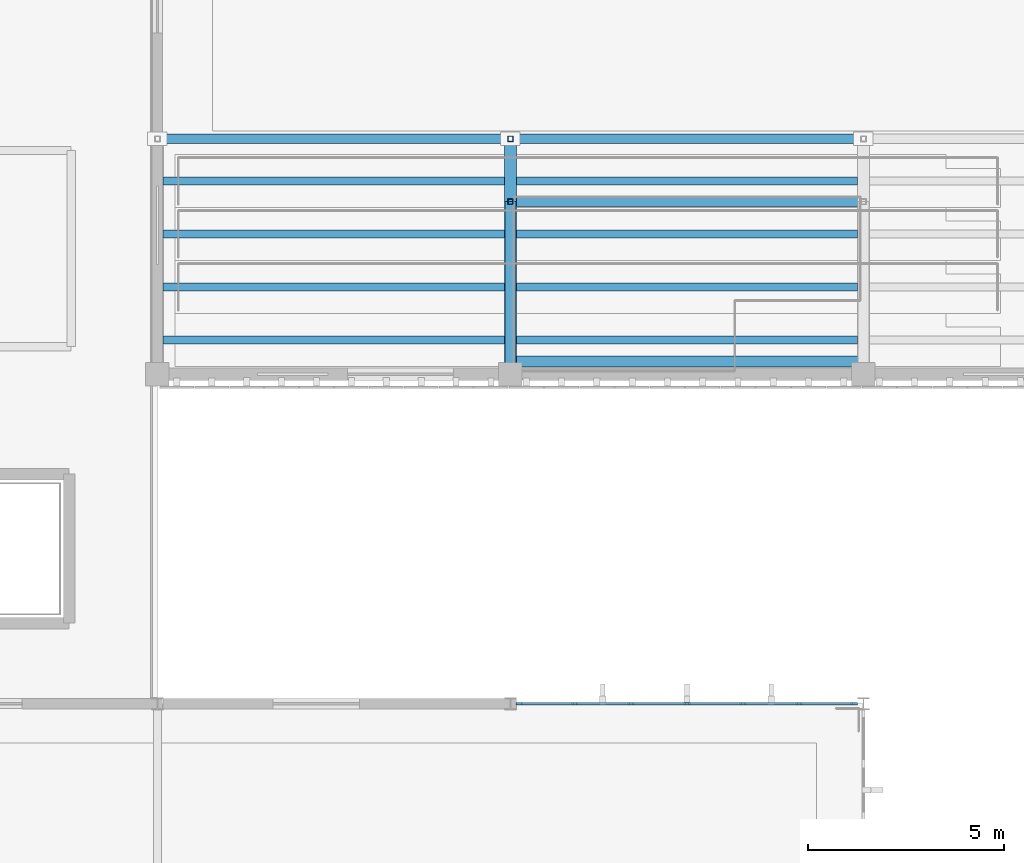
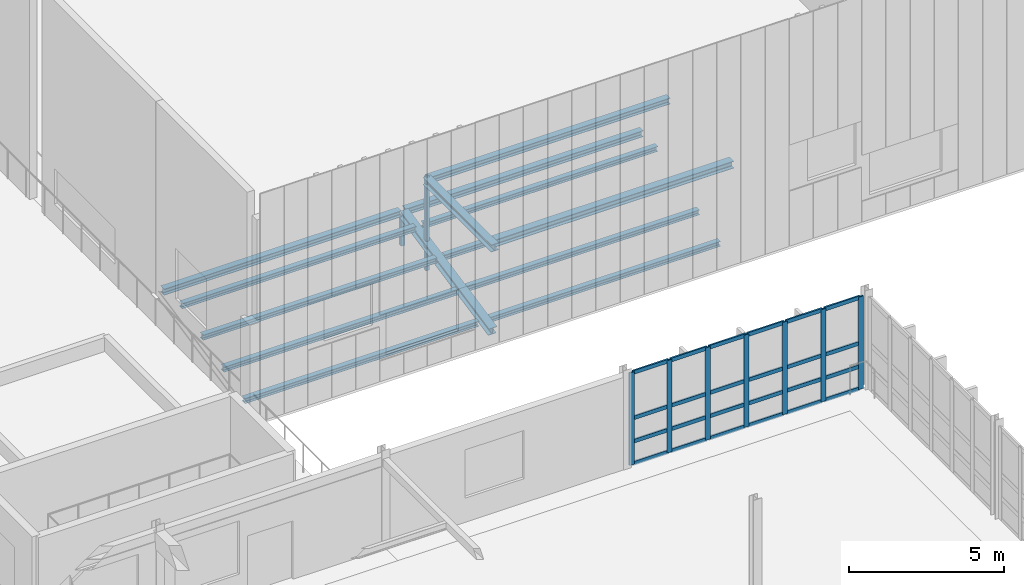
# One storey, part 18 of 67: 33 members, 14 beams, 1 element without a shape of its own.
"""IFC4 building model written with IfcOpenShell, lengths in metres."""

from ifc_helpers import new_model, si_unit, direction, frame, origin, origin_2d, place, context, subcontext, project, spatial, rectangle, hollow_rectangle, i_section, extrude, material, material_profile, profile_set, type_object, element, aggregate, save


model = new_model("IFC4")

# Units and contexts
model_context = context("Model", 3, precision=1e-05, world=origin(), true_north=direction((0.0, 1.0)))
body_context = subcontext(model_context, "Body", "Model", "MODEL_VIEW")
ifc_project = project(units=[si_unit("LENGTHUNIT", "METRE"), si_unit("AREAUNIT", "SQUARE_METRE"), si_unit("VOLUMEUNIT", "CUBIC_METRE"), si_unit("PLANEANGLEUNIT", "RADIAN"), si_unit("MASSUNIT", "GRAM", prefix="KILO")], contexts=[model_context])

# Site, building, storey
site_placement = place(None, origin())
site = spatial("IfcSite", under=ifc_project, at=site_placement, CompositionType="ELEMENT")
building_placement = place(site_placement, origin())
building = spatial("IfcBuilding", under=site, at=building_placement, Name="Tizgana Railside Sports Hall", CompositionType="ELEMENT")
storey_placement = place(building_placement, frame((0.0, 0.0, 12.0)))
storey = spatial("IfcBuildingStorey", under=building, at=storey_placement, Name="L02", CompositionType="ELEMENT", Elevation=12.0)

# Curtain wall, members
ifc_material_1 = material(Name="Anodised aluminium and glass", Category="aluminium")
curtain_wall_type = type_object("IfcCurtainWallType", Name="Unitised Curtain Wall WestHall 1560", PredefinedType="NOTDEFINED", material=ifc_material_1)
curtain_wall_placement = place(storey_placement, origin())
curtain_wall = element("IfcCurtainWall", 1, at=curtain_wall_placement, inside=storey, type_object=curtain_wall_type, Name="L02 Curtain Wall CW-0110", PredefinedType="NOTDEFINED")
ifc_material_2 = material(Name="Anodised aluminium", Category="aluminium")
ifc_material_profile_1 = material_profile(ifc_material_2, rectangle(XDim=0.06005859375, YDim=0.179931640625, at=origin_2d()), Name="Mullion 60x180")
ifc_profile_set_1 = profile_set([ifc_material_profile_1], Name="Anodised aluminium")
member_type_1 = type_object("IfcMemberType", Name="Mullion 60x180", PredefinedType="MULLION", material=ifc_profile_set_1)
member_1_placement = place(storey_placement, frame((89.034912109375, 32.39990234375, 0.0), z_axis=(0.0, 0.0, 1.0), x_axis=(0.0, 1.0, 0.0)))
member_1 = element("IfcMember", 2, at=member_1_placement, type_object=member_type_1, Name="CW-07 mullion 1", PredefinedType="MULLION", context=body_context, shape_type="SweptSolid", body=[
    extrude(rectangle(XDim=0.06005859375, YDim=0.179931640625, at=origin_2d()), origin(), (0.0, 0.0, 1.0), 3.639892578125),
])
member_2_placement = place(storey_placement, frame((90.436767578125, 32.39990234375, 0.0), z_axis=(0.0, 0.0, 1.0), x_axis=(0.0, 1.0, 0.0)))
member_2 = element("IfcMember", 3, at=member_2_placement, type_object=member_type_1, Name="CW-07 mullion 2", PredefinedType="MULLION", context=body_context, shape_type="SweptSolid", body=[
    extrude(rectangle(XDim=0.06005859375, YDim=0.179931640625, at=origin_2d()), origin(), (0.0, 0.0, 1.0), 3.639892578125),
])
member_3_placement = place(storey_placement, frame((91.868408203125, 32.39990234375, 0.0), z_axis=(0.0, 0.0, 1.0), x_axis=(0.0, 1.0, 0.0)))
member_3 = element("IfcMember", 4, at=member_3_placement, type_object=member_type_1, Name="CW-07 mullion 3", PredefinedType="MULLION", context=body_context, shape_type="SweptSolid", body=[
    extrude(rectangle(XDim=0.06005859375, YDim=0.179931640625, at=origin_2d()), origin(), (0.0, 0.0, 1.0), 3.639892578125),
])
member_4_placement = place(storey_placement, frame((93.300048828125, 32.39990234375, 0.0), z_axis=(0.0, 0.0, 1.0), x_axis=(0.0, 1.0, 0.0)))
member_4 = element("IfcMember", 5, at=member_4_placement, type_object=member_type_1, Name="CW-07 mullion 4", PredefinedType="MULLION", context=body_context, shape_type="SweptSolid", body=[
    extrude(rectangle(XDim=0.06005859375, YDim=0.179931640625, at=origin_2d()), origin(), (0.0, 0.0, 1.0), 3.639892578125),
])
member_5_placement = place(storey_placement, frame((94.731689453125, 32.39990234375, 0.0), z_axis=(0.0, 0.0, 1.0), x_axis=(0.0, 1.0, 0.0)))
member_5 = element("IfcMember", 6, at=member_5_placement, type_object=member_type_1, Name="CW-07 mullion 5", PredefinedType="MULLION", context=body_context, shape_type="SweptSolid", body=[
    extrude(rectangle(XDim=0.06005859375, YDim=0.179931640625, at=origin_2d()), origin(), (0.0, 0.0, 1.0), 3.639892578125),
])
member_6_placement = place(storey_placement, frame((96.163330078125, 32.39990234375, 0.0), z_axis=(0.0, 0.0, 1.0), x_axis=(0.0, 1.0, 0.0)))
member_6 = element("IfcMember", 7, at=member_6_placement, type_object=member_type_1, Name="CW-07 mullion 6", PredefinedType="MULLION", context=body_context, shape_type="SweptSolid", body=[
    extrude(rectangle(XDim=0.06005859375, YDim=0.179931640625, at=origin_2d()), origin(), (0.0, 0.0, 1.0), 3.639892578125),
])
member_7_placement = place(storey_placement, frame((97.56494140625, 32.39990234375, 0.0), z_axis=(0.0, 0.0, 1.0), x_axis=(0.0, 1.0, 0.0)))
member_7 = element("IfcMember", 8, at=member_7_placement, type_object=member_type_1, Name="CW-07 mullion 7", PredefinedType="MULLION", context=body_context, shape_type="SweptSolid", body=[
    extrude(rectangle(XDim=0.06005859375, YDim=0.179931640625, at=origin_2d()), origin(), (0.0, 0.0, 1.0), 3.639892578125),
])

# Beams
ifc_material_3 = material(Name="Steel S355J2", Category="steel")
ifc_material_profile_2 = material_profile(ifc_material_3, i_section(OverallWidth=0.199951171875, OverallDepth=0.199951171875, WebThickness=0.009033203125, FlangeThickness=0.014892578125, FilletRadius=0.01806640625, at=origin_2d()), Name="HEB 200")
ifc_profile_set_2 = profile_set([ifc_material_profile_2], Name="Steel S355J2")
beam_type_1 = type_object("IfcBeamType", Name="Steel Beam HEB 200", PredefinedType="BEAM", material=ifc_profile_set_2)
for number, where, z_axis, x_axis, name in (
    (9, (79.945068359375, 41.675048828125, 0.10498046875), (1.0, 0.0, 0.0), (0.0, 1.0, 0.0), "L02 Stand Stringer BEM-0071"),
    (10, (88.945068359375, 41.675048828125, 0.10498046875), (1.0, 0.0, 0.0), (0.0, 1.0, 0.0), "L02 Stand Stringer BEM-0072"),
    (11, (79.945068359375, 43.02490234375, 0.52490234375), (1.0, 0.0, 0.0), (0.0, 1.0, 0.0), "L02 Stand Stringer BEM-0076"),
    (12, (88.945068359375, 43.02490234375, 0.52490234375), (1.0, 0.0, 0.0), (0.0, 1.0, 0.0), "L02 Stand Stringer BEM-0077"),
    (13, (79.945068359375, 44.375, 0.965087890625), (1.0, 0.0, 0.0), (0.0, 1.0, 0.0), "L02 Stand Stringer BEM-0081"),
    (14, (88.945068359375, 44.375, 0.965087890625), (1.0, 0.0, 0.0), (0.0, 1.0, 0.0), "L02 Stand Stringer BEM-0082"),
    (15, (79.945068359375, 45.72509765625, 1.385009765625), (1.0, 0.0, 0.0), (0.0, 1.0, 0.0), "L02 Stand Stringer BEM-0086"),
    (16, (88.945068359375, 45.72509765625, 1.385009765625), (1.0, 0.0, 0.0), (0.0, 1.0, 0.0), "L02 Stand Stringer BEM-0087"),
):
    element("IfcBeam", number, at=place(storey_placement, frame(where, z_axis=z_axis, x_axis=x_axis)), inside=storey, type_object=beam_type_1, Name=name, PredefinedType="BEAM", context=body_context, shape_type="SweptSolid", body=[
        extrude(i_section(OverallWidth=0.199951171875, OverallDepth=0.199951171875, WebThickness=0.009033203125, FlangeThickness=0.014892578125, FilletRadius=0.01806640625, at=origin_2d()), origin(), (0.0, 0.0, 1.0), 8.7099609375),
    ])
ifc_material_profile_3 = material_profile(ifc_material_3, i_section(OverallWidth=0.239990234375, OverallDepth=0.239990234375, WebThickness=0.010009765625, FlangeThickness=0.01708984375, FilletRadius=0.02099609375, at=origin_2d()), Name="HEB 240")
ifc_profile_set_3 = profile_set([ifc_material_profile_3], Name="Steel S355J2")
beam_type_2 = type_object("IfcBeamType", Name="Steel Beam HEB 240", PredefinedType="BEAM", material=ifc_profile_set_3)
for number, where, z_axis, x_axis, name in (
    (17, (79.8798828125, 46.800048828125, 1.320068359375), (1.0, 0.0, 0.0), (0.0, 1.0, 0.0), "L02 Stand Rear Header SHB-0011"),
    (18, (88.8798828125, 46.800048828125, 1.320068359375), (1.0, 0.0, 0.0), (0.0, 1.0, 0.0), "L02 Stand Rear Header SHB-0012"),
):
    element("IfcBeam", number, at=place(storey_placement, frame(where, z_axis=z_axis, x_axis=x_axis)), inside=storey, type_object=beam_type_2, Name=name, PredefinedType="BEAM", context=body_context, shape_type="SweptSolid", body=[
        extrude(i_section(OverallWidth=0.239990234375, OverallDepth=0.239990234375, WebThickness=0.010009765625, FlangeThickness=0.01708984375, FilletRadius=0.02099609375, at=origin_2d()), origin(), (0.0, 0.0, 1.0), 8.840087890625),
    ])
beam_1_placement = place(storey_placement, frame((88.800048828125, 45.199951171875, 3.550048828125), z_axis=(1.0, 0.0, 0.0), x_axis=(0.0, 1.0, 0.0)))
element("IfcBeam", 19, at=beam_1_placement, inside=storey, type_object=beam_type_2, Name="L02 BEM-1278", PredefinedType="BEAM", context=body_context, shape_type="SweptSolid", body=[
    extrude(i_section(OverallWidth=0.239990234375, OverallDepth=0.239990234375, WebThickness=0.010009765625, FlangeThickness=0.01708984375, FilletRadius=0.02099609375, at=origin_2d()), origin(), (0.0, 0.0, 1.0), 9.0),
])
ifc_material_profile_4 = material_profile(ifc_material_3, i_section(OverallWidth=0.280029296875, OverallDepth=0.280029296875, WebThickness=0.010498046875, FlangeThickness=0.01806640625, FilletRadius=0.02392578125, at=origin_2d()), Name="HEB 280")
ifc_profile_set_4 = profile_set([ifc_material_profile_4], Name="Steel S355J2")
beam_type_3 = type_object("IfcBeamType", Name="Steel Beam HEB 280", PredefinedType="BEAM", material=ifc_profile_set_4)
beam_2_placement = place(storey_placement, frame((88.800048828125, 41.1201171875, 3.530029296875), z_axis=(1.0, 0.0, 0.0), x_axis=(0.0, 1.0, 0.0)))
element("IfcBeam", 20, at=beam_2_placement, inside=storey, type_object=beam_type_3, Name="L02 BEM-1277", PredefinedType="BEAM", context=body_context, shape_type="SweptSolid", body=[
    extrude(i_section(OverallWidth=0.280029296875, OverallDepth=0.280029296875, WebThickness=0.010498046875, FlangeThickness=0.01806640625, FilletRadius=0.02392578125, at=origin_2d()), origin(), (0.0, 0.0, 1.0), 9.0),
])
beam_3_placement = place(storey_placement, frame((88.800048828125, 40.800048828125, 3.530029296875), z_axis=(0.0, 1.0, 0.0), x_axis=(-1.0, 0.0, 0.0)))
element("IfcBeam", 21, at=beam_3_placement, inside=storey, type_object=beam_type_3, Name="L02 BEM-1279", PredefinedType="BEAM", context=body_context, shape_type="SweptSolid", body=[
    extrude(i_section(OverallWidth=0.280029296875, OverallDepth=0.280029296875, WebThickness=0.010498046875, FlangeThickness=0.01806640625, FilletRadius=0.02392578125, at=origin_2d()), origin(), (0.0, 0.0, 1.0), 4.39990234375),
])
ifc_material_profile_5 = material_profile(ifc_material_3, i_section(OverallWidth=0.300048828125, OverallDepth=0.300048828125, WebThickness=0.010986328125, FlangeThickness=0.01904296875, FilletRadius=0.027099609375, at=origin_2d()), Name="HEB 300")
ifc_profile_set_5 = profile_set([ifc_material_profile_5], Name="Steel S355J2")
beam_type_4 = type_object("IfcBeamType", Name="Steel Beam HEB 300", PredefinedType="BEAM", material=ifc_profile_set_5)
beam_4_placement = place(storey_placement, frame((88.800048828125, 40.949951171875, 0.14990234375), z_axis=(0.0, 0.979812896837, 0.199916700632), x_axis=(-1.0, 0.0, 0.0)))
element("IfcBeam", 22, at=beam_4_placement, inside=storey, type_object=beam_type_4, Name="L02 Stand Main Raker BEM-0066", PredefinedType="BEAM", context=body_context, shape_type="SweptSolid", body=[
    extrude(i_section(OverallWidth=0.300048828125, OverallDepth=0.300048828125, WebThickness=0.010986328125, FlangeThickness=0.01904296875, FilletRadius=0.027099609375, at=origin_2d()), origin(), (0.0, 0.0, 1.0), 5.853271484375),
])

# Members
ifc_material_profile_6 = material_profile(ifc_material_3, hollow_rectangle(XDim=0.139892578125, YDim=0.139892578125, WallThickness=0.008056640625, at=origin_2d()), Name="SHS 140x140x8")
ifc_profile_set_6 = profile_set([ifc_material_profile_6], Name="Steel S355J2")
member_type_2 = type_object("IfcMemberType", Name="Steel Brace SHS 140x140x8", PredefinedType="BRACE", material=ifc_profile_set_6)
member_8_placement = place(storey_placement, frame((88.800048828125, 46.800048828125, 0.0), z_axis=(0.0, 0.0, 1.0), x_axis=(1.0, 0.0, 0.0)))
element("IfcMember", 23, at=member_8_placement, inside=storey, type_object=member_type_2, Name="L02 Stand Strut", PredefinedType="BRACE", context=body_context, shape_type="SweptSolid", body=[
    extrude(hollow_rectangle(XDim=0.139892578125, YDim=0.139892578125, WallThickness=0.008056640625, at=origin_2d()), origin(), (0.0, 0.0, 1.0), 1.18994140625),
])
member_9_placement = place(storey_placement, frame((88.800048828125, 45.199951171875, 0.0), z_axis=(0.0, 0.0, 1.0), x_axis=(1.0, 0.0, 0.0)))
element("IfcMember", 24, at=member_9_placement, inside=storey, type_object=member_type_2, Name="L02 Catwalk Hanger", PredefinedType="BRACE", context=body_context, shape_type="SweptSolid", body=[
    extrude(hollow_rectangle(XDim=0.139892578125, YDim=0.139892578125, WallThickness=0.008056640625, at=origin_2d()), origin(), (0.0, 0.0, 1.0), 3.669921875),
])

# Member
ifc_material_profile_7 = material_profile(ifc_material_2, rectangle(XDim=0.06005859375, YDim=0.14990234375, at=origin_2d()), Name="Transom 60x150")
ifc_profile_set_7 = profile_set([ifc_material_profile_7], Name="Anodised aluminium")
member_type_3 = type_object("IfcMemberType", Name="Transom 60x150", PredefinedType="USERDEFINED", material=ifc_profile_set_7)
member_10_placement = place(storey_placement, frame((89.06494140625, 32.39990234375, 0.030029296875), z_axis=(1.0, 0.0, 0.0), x_axis=(0.0, 1.0, 0.0)))
member_10 = element("IfcMember", 25, at=member_10_placement, type_object=member_type_3, Name="CW-07 transom 1.1", ObjectType="TRANSOM", PredefinedType="USERDEFINED", context=body_context, shape_type="SweptSolid", body=[
    extrude(rectangle(XDim=0.06005859375, YDim=0.14990234375, at=origin_2d()), origin(), (0.0, 0.0, 1.0), 1.341796875),
])

member_11_placement = place(storey_placement, frame((89.06494140625, 32.39990234375, 0.89990234375), z_axis=(1.0, 0.0, 0.0), x_axis=(0.0, 1.0, 0.0)))
member_11 = element("IfcMember", 26, at=member_11_placement, type_object=member_type_3, Name="CW-07 transom 1.2", ObjectType="TRANSOM", PredefinedType="USERDEFINED", context=body_context, shape_type="SweptSolid", body=[
    extrude(rectangle(XDim=0.06005859375, YDim=0.14990234375, at=origin_2d()), origin(), (0.0, 0.0, 1.0), 1.341796875),
])

member_12_placement = place(storey_placement, frame((89.06494140625, 32.39990234375, 1.820068359375), z_axis=(1.0, 0.0, 0.0), x_axis=(0.0, 1.0, 0.0)))
member_12 = element("IfcMember", 27, at=member_12_placement, type_object=member_type_3, Name="CW-07 transom 1.3", ObjectType="TRANSOM", PredefinedType="USERDEFINED", context=body_context, shape_type="SweptSolid", body=[
    extrude(rectangle(XDim=0.06005859375, YDim=0.14990234375, at=origin_2d()), origin(), (0.0, 0.0, 1.0), 1.341796875),
])

member_13_placement = place(storey_placement, frame((89.06494140625, 32.39990234375, 3.610107421875), z_axis=(1.0, 0.0, 0.0), x_axis=(0.0, 1.0, 0.0)))
member_13 = element("IfcMember", 28, at=member_13_placement, type_object=member_type_3, Name="CW-07 transom 1.4", ObjectType="TRANSOM", PredefinedType="USERDEFINED", context=body_context, shape_type="SweptSolid", body=[
    extrude(rectangle(XDim=0.06005859375, YDim=0.14990234375, at=origin_2d()), origin(), (0.0, 0.0, 1.0), 1.341796875),
])

member_14_placement = place(storey_placement, frame((90.466552734375, 32.39990234375, 0.030029296875), z_axis=(1.0, 0.0, 0.0), x_axis=(0.0, 1.0, 0.0)))
member_14 = element("IfcMember", 29, at=member_14_placement, type_object=member_type_3, Name="CW-07 transom 2.1", ObjectType="TRANSOM", PredefinedType="USERDEFINED", context=body_context, shape_type="SweptSolid", body=[
    extrude(rectangle(XDim=0.06005859375, YDim=0.14990234375, at=origin_2d()), origin(), (0.0, 0.0, 1.0), 1.371826171875),
])

member_15_placement = place(storey_placement, frame((90.466552734375, 32.39990234375, 0.89990234375), z_axis=(1.0, 0.0, 0.0), x_axis=(0.0, 1.0, 0.0)))
member_15 = element("IfcMember", 30, at=member_15_placement, type_object=member_type_3, Name="CW-07 transom 2.2", ObjectType="TRANSOM", PredefinedType="USERDEFINED", context=body_context, shape_type="SweptSolid", body=[
    extrude(rectangle(XDim=0.06005859375, YDim=0.14990234375, at=origin_2d()), origin(), (0.0, 0.0, 1.0), 1.371826171875),
])

member_16_placement = place(storey_placement, frame((90.466552734375, 32.39990234375, 1.820068359375), z_axis=(1.0, 0.0, 0.0), x_axis=(0.0, 1.0, 0.0)))
member_16 = element("IfcMember", 31, at=member_16_placement, type_object=member_type_3, Name="CW-07 transom 2.3", ObjectType="TRANSOM", PredefinedType="USERDEFINED", context=body_context, shape_type="SweptSolid", body=[
    extrude(rectangle(XDim=0.06005859375, YDim=0.14990234375, at=origin_2d()), origin(), (0.0, 0.0, 1.0), 1.371826171875),
])

member_17_placement = place(storey_placement, frame((90.466552734375, 32.39990234375, 3.610107421875), z_axis=(1.0, 0.0, 0.0), x_axis=(0.0, 1.0, 0.0)))
member_17 = element("IfcMember", 32, at=member_17_placement, type_object=member_type_3, Name="CW-07 transom 2.4", ObjectType="TRANSOM", PredefinedType="USERDEFINED", context=body_context, shape_type="SweptSolid", body=[
    extrude(rectangle(XDim=0.06005859375, YDim=0.14990234375, at=origin_2d()), origin(), (0.0, 0.0, 1.0), 1.371826171875),
])

member_18_placement = place(storey_placement, frame((91.8984375, 32.39990234375, 0.030029296875), z_axis=(1.0, 0.0, 0.0), x_axis=(0.0, 1.0, 0.0)))
member_18 = element("IfcMember", 33, at=member_18_placement, type_object=member_type_3, Name="CW-07 transom 3.1", ObjectType="TRANSOM", PredefinedType="USERDEFINED", context=body_context, shape_type="SweptSolid", body=[
    extrude(rectangle(XDim=0.06005859375, YDim=0.14990234375, at=origin_2d()), origin(), (0.0, 0.0, 1.0), 1.37158203125),
])

member_19_placement = place(storey_placement, frame((91.8984375, 32.39990234375, 0.89990234375), z_axis=(1.0, 0.0, 0.0), x_axis=(0.0, 1.0, 0.0)))
member_19 = element("IfcMember", 34, at=member_19_placement, type_object=member_type_3, Name="CW-07 transom 3.2", ObjectType="TRANSOM", PredefinedType="USERDEFINED", context=body_context, shape_type="SweptSolid", body=[
    extrude(rectangle(XDim=0.06005859375, YDim=0.14990234375, at=origin_2d()), origin(), (0.0, 0.0, 1.0), 1.37158203125),
])

member_20_placement = place(storey_placement, frame((91.8984375, 32.39990234375, 1.820068359375), z_axis=(1.0, 0.0, 0.0), x_axis=(0.0, 1.0, 0.0)))
member_20 = element("IfcMember", 35, at=member_20_placement, type_object=member_type_3, Name="CW-07 transom 3.3", ObjectType="TRANSOM", PredefinedType="USERDEFINED", context=body_context, shape_type="SweptSolid", body=[
    extrude(rectangle(XDim=0.06005859375, YDim=0.14990234375, at=origin_2d()), origin(), (0.0, 0.0, 1.0), 1.37158203125),
])

member_21_placement = place(storey_placement, frame((91.8984375, 32.39990234375, 3.610107421875), z_axis=(1.0, 0.0, 0.0), x_axis=(0.0, 1.0, 0.0)))
member_21 = element("IfcMember", 36, at=member_21_placement, type_object=member_type_3, Name="CW-07 transom 3.4", ObjectType="TRANSOM", PredefinedType="USERDEFINED", context=body_context, shape_type="SweptSolid", body=[
    extrude(rectangle(XDim=0.06005859375, YDim=0.14990234375, at=origin_2d()), origin(), (0.0, 0.0, 1.0), 1.37158203125),
])

member_22_placement = place(storey_placement, frame((93.330078125, 32.39990234375, 0.030029296875), z_axis=(1.0, 0.0, 0.0), x_axis=(0.0, 1.0, 0.0)))
member_22 = element("IfcMember", 37, at=member_22_placement, type_object=member_type_3, Name="CW-07 transom 4.1", ObjectType="TRANSOM", PredefinedType="USERDEFINED", context=body_context, shape_type="SweptSolid", body=[
    extrude(rectangle(XDim=0.06005859375, YDim=0.14990234375, at=origin_2d()), origin(), (0.0, 0.0, 1.0), 1.37158203125),
])

member_23_placement = place(storey_placement, frame((93.330078125, 32.39990234375, 0.89990234375), z_axis=(1.0, 0.0, 0.0), x_axis=(0.0, 1.0, 0.0)))
member_23 = element("IfcMember", 38, at=member_23_placement, type_object=member_type_3, Name="CW-07 transom 4.2", ObjectType="TRANSOM", PredefinedType="USERDEFINED", context=body_context, shape_type="SweptSolid", body=[
    extrude(rectangle(XDim=0.06005859375, YDim=0.14990234375, at=origin_2d()), origin(), (0.0, 0.0, 1.0), 1.37158203125),
])

member_24_placement = place(storey_placement, frame((93.330078125, 32.39990234375, 1.820068359375), z_axis=(1.0, 0.0, 0.0), x_axis=(0.0, 1.0, 0.0)))
member_24 = element("IfcMember", 39, at=member_24_placement, type_object=member_type_3, Name="CW-07 transom 4.3", ObjectType="TRANSOM", PredefinedType="USERDEFINED", context=body_context, shape_type="SweptSolid", body=[
    extrude(rectangle(XDim=0.06005859375, YDim=0.14990234375, at=origin_2d()), origin(), (0.0, 0.0, 1.0), 1.37158203125),
])

member_25_placement = place(storey_placement, frame((93.330078125, 32.39990234375, 3.610107421875), z_axis=(1.0, 0.0, 0.0), x_axis=(0.0, 1.0, 0.0)))
member_25 = element("IfcMember", 40, at=member_25_placement, type_object=member_type_3, Name="CW-07 transom 4.4", ObjectType="TRANSOM", PredefinedType="USERDEFINED", context=body_context, shape_type="SweptSolid", body=[
    extrude(rectangle(XDim=0.06005859375, YDim=0.14990234375, at=origin_2d()), origin(), (0.0, 0.0, 1.0), 1.37158203125),
])

member_26_placement = place(storey_placement, frame((94.76171875, 32.39990234375, 0.030029296875), z_axis=(1.0, 0.0, 0.0), x_axis=(0.0, 1.0, 0.0)))
member_26 = element("IfcMember", 41, at=member_26_placement, type_object=member_type_3, Name="CW-07 transom 5.1", ObjectType="TRANSOM", PredefinedType="USERDEFINED", context=body_context, shape_type="SweptSolid", body=[
    extrude(rectangle(XDim=0.06005859375, YDim=0.14990234375, at=origin_2d()), origin(), (0.0, 0.0, 1.0), 1.37158203125),
])

member_27_placement = place(storey_placement, frame((94.76171875, 32.39990234375, 0.89990234375), z_axis=(1.0, 0.0, 0.0), x_axis=(0.0, 1.0, 0.0)))
member_27 = element("IfcMember", 42, at=member_27_placement, type_object=member_type_3, Name="CW-07 transom 5.2", ObjectType="TRANSOM", PredefinedType="USERDEFINED", context=body_context, shape_type="SweptSolid", body=[
    extrude(rectangle(XDim=0.06005859375, YDim=0.14990234375, at=origin_2d()), origin(), (0.0, 0.0, 1.0), 1.37158203125),
])

member_28_placement = place(storey_placement, frame((94.76171875, 32.39990234375, 1.820068359375), z_axis=(1.0, 0.0, 0.0), x_axis=(0.0, 1.0, 0.0)))
member_28 = element("IfcMember", 43, at=member_28_placement, type_object=member_type_3, Name="CW-07 transom 5.3", ObjectType="TRANSOM", PredefinedType="USERDEFINED", context=body_context, shape_type="SweptSolid", body=[
    extrude(rectangle(XDim=0.06005859375, YDim=0.14990234375, at=origin_2d()), origin(), (0.0, 0.0, 1.0), 1.37158203125),
])

member_29_placement = place(storey_placement, frame((94.76171875, 32.39990234375, 3.610107421875), z_axis=(1.0, 0.0, 0.0), x_axis=(0.0, 1.0, 0.0)))
member_29 = element("IfcMember", 44, at=member_29_placement, type_object=member_type_3, Name="CW-07 transom 5.4", ObjectType="TRANSOM", PredefinedType="USERDEFINED", context=body_context, shape_type="SweptSolid", body=[
    extrude(rectangle(XDim=0.06005859375, YDim=0.14990234375, at=origin_2d()), origin(), (0.0, 0.0, 1.0), 1.37158203125),
])

member_30_placement = place(storey_placement, frame((96.193359375, 32.39990234375, 0.030029296875), z_axis=(1.0, 0.0, 0.0), x_axis=(0.0, 1.0, 0.0)))
member_30 = element("IfcMember", 45, at=member_30_placement, type_object=member_type_3, Name="CW-07 transom 6.1", ObjectType="TRANSOM", PredefinedType="USERDEFINED", context=body_context, shape_type="SweptSolid", body=[
    extrude(rectangle(XDim=0.06005859375, YDim=0.14990234375, at=origin_2d()), origin(), (0.0, 0.0, 1.0), 1.341552734375),
])

member_31_placement = place(storey_placement, frame((96.193359375, 32.39990234375, 0.89990234375), z_axis=(1.0, 0.0, 0.0), x_axis=(0.0, 1.0, 0.0)))
member_31 = element("IfcMember", 46, at=member_31_placement, type_object=member_type_3, Name="CW-07 transom 6.2", ObjectType="TRANSOM", PredefinedType="USERDEFINED", context=body_context, shape_type="SweptSolid", body=[
    extrude(rectangle(XDim=0.06005859375, YDim=0.14990234375, at=origin_2d()), origin(), (0.0, 0.0, 1.0), 1.341552734375),
])

member_32_placement = place(storey_placement, frame((96.193359375, 32.39990234375, 1.820068359375), z_axis=(1.0, 0.0, 0.0), x_axis=(0.0, 1.0, 0.0)))
member_32 = element("IfcMember", 47, at=member_32_placement, type_object=member_type_3, Name="CW-07 transom 6.3", ObjectType="TRANSOM", PredefinedType="USERDEFINED", context=body_context, shape_type="SweptSolid", body=[
    extrude(rectangle(XDim=0.06005859375, YDim=0.14990234375, at=origin_2d()), origin(), (0.0, 0.0, 1.0), 1.341552734375),
])

member_33_placement = place(storey_placement, frame((96.193359375, 32.39990234375, 3.610107421875), z_axis=(1.0, 0.0, 0.0), x_axis=(0.0, 1.0, 0.0)))
member_33 = element("IfcMember", 48, at=member_33_placement, type_object=member_type_3, Name="CW-07 transom 6.4", ObjectType="TRANSOM", PredefinedType="USERDEFINED", context=body_context, shape_type="SweptSolid", body=[
    extrude(rectangle(XDim=0.06005859375, YDim=0.14990234375, at=origin_2d()), origin(), (0.0, 0.0, 1.0), 1.341552734375),
])

aggregate(curtain_wall, [member_1, member_2, member_3, member_4, member_5, member_6, member_7, member_10, member_11, member_12, member_13, member_14, member_15, member_16, member_17, member_18, member_19, member_20, member_21, member_22, member_23, member_24, member_25, member_26, member_27, member_28, member_29, member_30, member_31, member_32, member_33])

save(model, "model.ifc")
